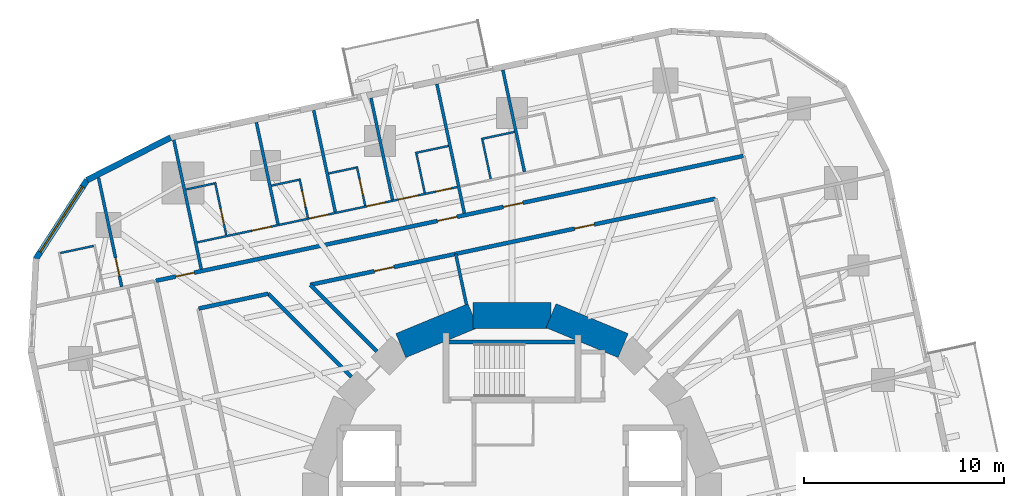
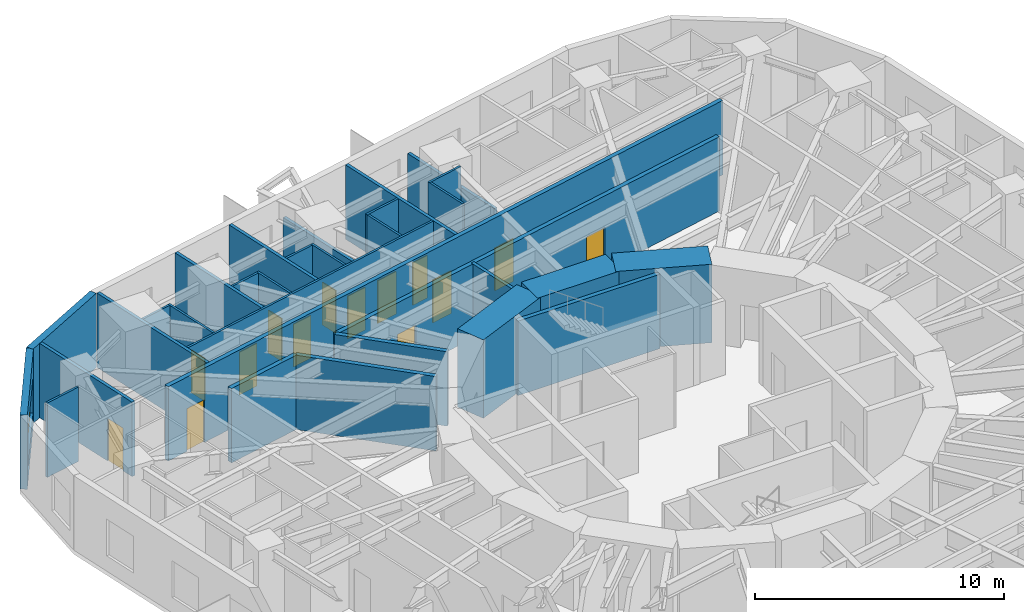
# One storey, part 10 of 14: 31 walls, 14 doors, 1 window, 15 openings.
"""IFC4 building model written with IfcOpenShell, lengths in metres."""

from ifc_helpers import new_model, si_unit, direction, frame, frame_2d, origin, place, context, subcontext, project, spatial, rectangle, extrude, material, layer, layer_set, type_object, element, fill, save


model = new_model("IFC4")

# Units and contexts
model_context = context("Model", 3, precision=1e-05, world=origin(), true_north=direction((0.0, 1.0)))
body_context = subcontext(model_context, "Body", "Model", "MODEL_VIEW")
ifc_project = project(units=[si_unit("LENGTHUNIT", "METRE"), si_unit("AREAUNIT", "SQUARE_METRE"), si_unit("VOLUMEUNIT", "CUBIC_METRE"), si_unit("PLANEANGLEUNIT", "RADIAN"), si_unit("MASSUNIT", "GRAM", prefix="KILO")], contexts=[model_context])

# Site, building, storey
site_placement = place(None, origin())
site = spatial("IfcSite", under=ifc_project, at=site_placement, CompositionType="ELEMENT")
building_placement = place(site_placement, origin())
building = spatial("IfcBuilding", under=site, at=building_placement, Name="Nakasero Lantern House", CompositionType="ELEMENT")
storey_placement = place(building_placement, frame((0.0, 0.0, 108.85009765625)))
storey = spatial("IfcBuildingStorey", under=building, at=storey_placement, Name="L26", CompositionType="ELEMENT", Elevation=108.85009765625)

# Wall, openings, doors
ifc_material_1 = material(Name="Blockwork", Category="masonry")
ifc_layer_1 = layer(ifc_material_1, 0.10009765625)
ifc_layer_set_1 = layer_set([ifc_layer_1], Name="Cluster hall wall 100")
wall_type_1 = type_object("IfcWallType", Name="Cluster hall wall 100", PredefinedType="PARTITIONING", material=ifc_layer_set_1)
wall_1_placement = place(storey_placement, frame((-2.734375, 16.236328125, 0.0), z_axis=(0.0, 0.0, 1.0), x_axis=(-0.978145215443, -0.207922912411, 0.0)))
wall_1 = element("IfcWall", 1, at=wall_1_placement, inside=storey, type_object=wall_type_1, Name="Cluster hall wall L26 HW1-1", PredefinedType="PARTITIONING", context=body_context, shape_type="SweptSolid", body=[
    extrude(rectangle(XDim=13.28955078125, YDim=0.10009765625, at=frame_2d((6.644775390625, 0.0))), origin(), (0.0, 0.0, 1.0), 3.64990234375),
])
opening_1_placement = place(wall_1_placement, frame((1.99365234375, 0.0, 0.0)))
opening_1 = element("IfcOpeningElement", 2, at=opening_1_placement, cuts=wall_1, Name="Opening D03", PredefinedType="OPENING", context=body_context, shape_type="SweptSolid", body=[
    extrude(rectangle(XDim=1.0, YDim=2.10009765625, at=frame_2d((0.5, 1.050048828125))), frame((0.0, 0.070068359375, 0.0), z_axis=(0.0, -1.0, 0.0), x_axis=(1.0, 0.0, 0.0)), (0.0, 0.0, 1.0), 0.14013671875),
])
opening_2_placement = place(wall_1_placement, frame((0.300048828125, 0.0, 0.0)))
opening_2 = element("IfcOpeningElement", 3, at=opening_2_placement, cuts=wall_1, Name="Opening D02", PredefinedType="OPENING", context=body_context, shape_type="SweptSolid", body=[
    extrude(rectangle(XDim=0.800048828125, YDim=2.10009765625, at=frame_2d((0.39990234375, 1.050048828125))), frame((0.0, 0.070068359375, 0.0), z_axis=(0.0, -1.0, 0.0), x_axis=(1.0, 0.0, 0.0)), (0.0, 0.0, 1.0), 0.14013671875),
])
opening_3_placement = place(wall_1_placement, frame((3.668701171875, 0.0, 0.0)))
opening_3 = element("IfcOpeningElement", 4, at=opening_3_placement, cuts=wall_1, Name="Opening D01", PredefinedType="OPENING", context=body_context, shape_type="SweptSolid", body=[
    extrude(rectangle(XDim=0.949951171875, YDim=2.10009765625, at=frame_2d((0.47509765625, 1.050048828125))), frame((0.0, 0.070068359375, 0.0), z_axis=(0.0, -1.0, 0.0), x_axis=(1.0, 0.0, 0.0)), (0.0, 0.0, 1.0), 0.14013671875),
])
opening_4_placement = place(wall_1_placement, frame((6.594970703125, 0.0, 0.0)))
opening_4 = element("IfcOpeningElement", 5, at=opening_4_placement, cuts=wall_1, Name="Opening D01", PredefinedType="OPENING", context=body_context, shape_type="SweptSolid", body=[
    extrude(rectangle(XDim=0.949951171875, YDim=2.10009765625, at=frame_2d((0.47509765625, 1.050048828125))), frame((0.0, 0.070068359375, 0.0), z_axis=(0.0, -1.0, 0.0), x_axis=(1.0, 0.0, 0.0)), (0.0, 0.0, 1.0), 0.14013671875),
])
opening_5_placement = place(wall_1_placement, frame((9.521484375, 0.0, 0.0)))
opening_5 = element("IfcOpeningElement", 6, at=opening_5_placement, cuts=wall_1, Name="Opening D01", PredefinedType="OPENING", context=body_context, shape_type="SweptSolid", body=[
    extrude(rectangle(XDim=0.949951171875, YDim=2.10009765625, at=frame_2d((0.47509765625, 1.050048828125))), frame((0.0, 0.070068359375, 0.0), z_axis=(0.0, -1.0, 0.0), x_axis=(1.0, 0.0, 0.0)), (0.0, 0.0, 1.0), 0.14013671875),
])
ifc_material_2 = material(Name="Timber C24", Category="wood")
door_type_1 = type_object("IfcDoorType", Name="Bedroom door FD30S 950", OperationType="SINGLE_SWING_LEFT", PredefinedType="DOOR", material=ifc_material_2)
door_1_placement = place(opening_3_placement, origin())
door_1 = element("IfcDoor", 7, at=door_1_placement, inside=storey, type_object=door_type_1, Name="Door L26 D1-05", OperationType="SINGLE_SWING_LEFT", OverallHeight=2.10009765625, OverallWidth=0.949951171875, PredefinedType="DOOR", context=body_context, shape_type="SweptSolid", body=[
    extrude(rectangle(XDim=0.949951171875, YDim=2.10009765625, at=frame_2d((0.47509765625, 1.050048828125))), frame((0.0, 0.02490234375, 0.0), z_axis=(0.0, -1.0, 0.0), x_axis=(1.0, 0.0, 0.0)), (0.0, 0.0, 1.0), 0.050048828125),
])
fill(opening_3, door_1)
door_2_placement = place(opening_4_placement, origin())
door_2 = element("IfcDoor", 8, at=door_2_placement, inside=storey, type_object=door_type_1, Name="Door L26 D1-06", OperationType="SINGLE_SWING_RIGHT", OverallHeight=2.10009765625, OverallWidth=0.949951171875, PredefinedType="DOOR", context=body_context, shape_type="SweptSolid", body=[
    extrude(rectangle(XDim=0.949951171875, YDim=2.10009765625, at=frame_2d((0.47509765625, 1.050048828125))), frame((0.0, 0.02490234375, 0.0), z_axis=(0.0, -1.0, 0.0), x_axis=(1.0, 0.0, 0.0)), (0.0, 0.0, 1.0), 0.050048828125),
])
fill(opening_4, door_2)
door_3_placement = place(opening_5_placement, origin())
door_3 = element("IfcDoor", 9, at=door_3_placement, inside=storey, type_object=door_type_1, Name="Door L26 D1-07", OperationType="SINGLE_SWING_RIGHT", OverallHeight=2.10009765625, OverallWidth=0.949951171875, PredefinedType="DOOR", context=body_context, shape_type="SweptSolid", body=[
    extrude(rectangle(XDim=0.949951171875, YDim=2.10009765625, at=frame_2d((0.47509765625, 1.050048828125))), frame((0.0, 0.02490234375, 0.0), z_axis=(0.0, -1.0, 0.0), x_axis=(1.0, 0.0, 0.0)), (0.0, 0.0, 1.0), 0.050048828125),
])
fill(opening_5, door_3)
ifc_material_3 = material(Name="Timber C24", Category="wood")
door_type_2 = type_object("IfcDoorType", Name="En-suite door 800", OperationType="SINGLE_SWING_RIGHT", PredefinedType="DOOR", material=ifc_material_3)
door_4_placement = place(opening_2_placement, origin())
door_4 = element("IfcDoor", 10, at=door_4_placement, inside=storey, type_object=door_type_2, Name="Door L26 DSH1-1", OperationType="SINGLE_SWING_LEFT", OverallHeight=2.10009765625, OverallWidth=0.800048828125, PredefinedType="DOOR", context=body_context, shape_type="SweptSolid", body=[
    extrude(rectangle(XDim=0.800048828125, YDim=2.10009765625, at=frame_2d((0.39990234375, 1.050048828125))), frame((0.0, 0.02490234375, 0.0), z_axis=(0.0, -1.0, 0.0), x_axis=(1.0, 0.0, 0.0)), (0.0, 0.0, 1.0), 0.050048828125),
])
fill(opening_2, door_4)
ifc_material_4 = material(Name="Timber C24", Category="wood")
door_type_3 = type_object("IfcDoorType", Name="Lounge door FD30S 1000", OperationType="SINGLE_SWING_LEFT", PredefinedType="DOOR", material=ifc_material_4)
door_5_placement = place(opening_1_placement, origin())
door_5 = element("IfcDoor", 11, at=door_5_placement, inside=storey, type_object=door_type_3, Name="Door L26 DH1-1", OperationType="SINGLE_SWING_LEFT", OverallHeight=2.10009765625, OverallWidth=1.0, PredefinedType="DOOR", context=body_context, shape_type="SweptSolid", body=[
    extrude(rectangle(XDim=1.0, YDim=2.10009765625, at=frame_2d((0.5, 1.050048828125))), frame((0.0, 0.02490234375, 0.0), z_axis=(0.0, -1.0, 0.0), x_axis=(1.0, 0.0, 0.0)), (0.0, 0.0, 1.0), 0.050048828125),
])
fill(opening_1, door_5)

# Walls
ifc_material_5 = material(Name="Concrete C50/60", Category="concrete")
ifc_layer_2 = layer(ifc_material_5, 1.300048828125)
ifc_layer_set_2 = layer_set([ifc_layer_2], Name="Core wall 1300")
wall_type_2 = type_object("IfcWallType", Name="Core wall 1300", PredefinedType="SHEAR", material=ifc_layer_set_2)
for number, where, z_axis, x_axis, name in (
    (12, (5.5556640625, 8.314697265625, 0.0), (0.0, 0.0, 1.0), (-0.923876507187, 0.382690736062, 0.0), "Core wall L26 facet 3"),
    (13, (1.950927734375, 9.807861328125, 0.0), (0.0, 0.0, 1.0), (-1.0, 0.0, 0.0), "Core wall L26 facet 4"),
    (14, (-1.950927734375, 9.807861328125, 0.0), (0.0, 0.0, 1.0), (-0.923876507187, -0.382690736062, 0.0), "Core wall L26 facet 5"),
):
    element("IfcWall", number, at=place(storey_placement, frame(where, z_axis=z_axis, x_axis=x_axis)), inside=storey, type_object=wall_type_2, Name=name, PredefinedType="SHEAR", context=body_context, shape_type="SweptSolid", body=[
        extrude(rectangle(XDim=3.90185546875, YDim=1.300048828125, at=frame_2d((1.950927734375, 0.0))), origin(), (0.0, 0.0, 1.0), 3.849853515625),
    ])

# Wall, openings, doors
ifc_material_6 = material(Name="Blockwork", Category="masonry")
ifc_layer_3 = layer(ifc_material_6, 0.199951171875)
ifc_layer_set_3 = layer_set([ifc_layer_3], Name="Corridor wall 200")
wall_type_3 = type_object("IfcWallType", Name="Corridor wall 200", PredefinedType="PARTITIONING", material=ifc_layer_set_3)
wall_2_placement = place(storey_placement, frame((11.553466796875, 17.790771484375, 0.0), z_axis=(0.0, 0.0, 1.0), x_axis=(-0.978147639417, -0.207911508826, 0.0)))
wall_2 = element("IfcWall", 15, at=wall_2_placement, inside=storey, type_object=wall_type_3, Name="Corridor wall L26 CW1", PredefinedType="PARTITIONING", context=body_context, shape_type="SweptSolid", body=[
    extrude(rectangle(XDim=29.999755859375, YDim=0.199951171875, at=frame_2d((15.0, 0.0))), origin(), (0.0, 0.0, 1.0), 3.64990234375),
])
opening_6_placement = place(wall_2_placement, frame((11.255126953125, 0.0, 0.0)))
opening_6 = element("IfcOpeningElement", 16, at=opening_6_placement, cuts=wall_2, Name="Opening D14", PredefinedType="OPENING", context=body_context, shape_type="SweptSolid", body=[
    extrude(rectangle(XDim=1.0, YDim=2.10009765625, at=frame_2d((0.5, 1.050048828125))), frame((0.0, 0.119873046875, 0.0), z_axis=(0.0, -1.0, 0.0), x_axis=(1.0, 0.0, 0.0)), (0.0, 0.0, 1.0), 0.239990234375),
])
opening_7_placement = place(wall_2_placement, frame((14.623779296875, 0.0, 0.0)))
opening_7 = element("IfcOpeningElement", 17, at=opening_7_placement, cuts=wall_2, Name="Opening D14", PredefinedType="OPENING", context=body_context, shape_type="SweptSolid", body=[
    extrude(rectangle(XDim=1.0, YDim=2.10009765625, at=frame_2d((0.5, 1.050048828125))), frame((0.0, 0.119873046875, 0.0), z_axis=(0.0, -1.0, 0.0), x_axis=(1.0, 0.0, 0.0)), (0.0, 0.0, 1.0), 0.239990234375),
])
opening_8_placement = place(wall_2_placement, frame((28.038330078125, 0.0, 0.0)))
opening_8 = element("IfcOpeningElement", 18, at=opening_8_placement, cuts=wall_2, Name="Opening D01", PredefinedType="OPENING", context=body_context, shape_type="SweptSolid", body=[
    extrude(rectangle(XDim=0.949951171875, YDim=2.10009765625, at=frame_2d((0.47509765625, 1.050048828125))), frame((0.0, 0.119873046875, 0.0), z_axis=(0.0, -1.0, 0.0), x_axis=(1.0, 0.0, 0.0)), (0.0, 0.0, 1.0), 0.239990234375),
])
door_6_placement = place(opening_8_placement, origin())
door_6 = element("IfcDoor", 19, at=door_6_placement, inside=storey, type_object=door_type_1, Name="Door L26 D1-08", OperationType="SINGLE_SWING_RIGHT", OverallHeight=2.10009765625, OverallWidth=0.949951171875, PredefinedType="DOOR", context=body_context, shape_type="SweptSolid", body=[
    extrude(rectangle(XDim=0.949951171875, YDim=2.10009765625, at=frame_2d((0.47509765625, 1.050048828125))), frame((0.0, 0.02490234375, 0.0), z_axis=(0.0, -1.0, 0.0), x_axis=(1.0, 0.0, 0.0)), (0.0, 0.0, 1.0), 0.050048828125),
])
fill(opening_8, door_6)
ifc_material_7 = material(Name="Timber C24", Category="wood")
door_type_4 = type_object("IfcDoorType", Name="Cluster entrance door FD30S 1000", OperationType="SINGLE_SWING_LEFT", PredefinedType="DOOR", material=ifc_material_7)
door_7_placement = place(opening_6_placement, origin())
door_7 = element("IfcDoor", 20, at=door_7_placement, inside=storey, type_object=door_type_4, Name="Door L26 DF1-0", OperationType="SINGLE_SWING_LEFT", OverallHeight=2.10009765625, OverallWidth=1.0, PredefinedType="DOOR", context=body_context, shape_type="SweptSolid", body=[
    extrude(rectangle(XDim=1.0, YDim=2.10009765625, at=frame_2d((0.5, 1.050048828125))), frame((0.0, 0.02490234375, 0.0), z_axis=(0.0, -1.0, 0.0), x_axis=(1.0, 0.0, 0.0)), (0.0, 0.0, 1.0), 0.050048828125),
])
fill(opening_6, door_7)
door_8_placement = place(opening_7_placement, origin())
door_8 = element("IfcDoor", 21, at=door_8_placement, inside=storey, type_object=door_type_4, Name="Door L26 DF1-1", OperationType="SINGLE_SWING_RIGHT", OverallHeight=2.10009765625, OverallWidth=1.0, PredefinedType="DOOR", context=body_context, shape_type="SweptSolid", body=[
    extrude(rectangle(XDim=1.0, YDim=2.10009765625, at=frame_2d((0.5, 1.050048828125))), frame((0.0, 0.02490234375, 0.0), z_axis=(0.0, -1.0, 0.0), x_axis=(1.0, 0.0, 0.0)), (0.0, 0.0, 1.0), 0.050048828125),
])
fill(opening_7, door_8)

wall_3_placement = place(storey_placement, frame((10.1669921875, 15.656005859375, 0.0), z_axis=(0.0, 0.0, 1.0), x_axis=(-0.978145959178, -0.207919413582, 0.0)))
wall_3 = element("IfcWall", 22, at=wall_3_placement, inside=storey, type_object=wall_type_3, Name="Corridor wall L26 IW1-0", PredefinedType="PARTITIONING", context=body_context, shape_type="SweptSolid", body=[
    extrude(rectangle(XDim=20.698974609375, YDim=0.199951171875, at=frame_2d((10.349609375, 0.0))), origin(), (0.0, 0.0, 1.0), 3.64990234375),
])
opening_9_placement = place(wall_3_placement, frame((6.197509765625, 0.0, 0.0)))
opening_9 = element("IfcOpeningElement", 23, at=opening_9_placement, cuts=wall_3, Name="Opening D07", PredefinedType="OPENING", context=body_context, shape_type="SweptSolid", body=[
    extrude(rectangle(XDim=1.0, YDim=2.10009765625, at=frame_2d((0.5, 1.050048828125))), frame((0.0, 0.119873046875, 0.0), z_axis=(0.0, -1.0, 0.0), x_axis=(1.0, 0.0, 0.0)), (0.0, 0.0, 1.0), 0.239990234375),
])
opening_10_placement = place(wall_3_placement, frame((16.422119140625, 0.0, 0.0)))
opening_10 = element("IfcOpeningElement", 24, at=opening_10_placement, cuts=wall_3, Name="Opening D07", PredefinedType="OPENING", context=body_context, shape_type="SweptSolid", body=[
    extrude(rectangle(XDim=1.0, YDim=2.10009765625, at=frame_2d((0.5, 1.050048828125))), frame((0.0, 0.119873046875, 0.0), z_axis=(0.0, -1.0, 0.0), x_axis=(1.0, 0.0, 0.0)), (0.0, 0.0, 1.0), 0.239990234375),
])
ifc_material_8 = material(Name="Timber C24", Category="wood")
door_type_5 = type_object("IfcDoorType", Name="Room door FD30S 1000", OperationType="SINGLE_SWING_LEFT", PredefinedType="DOOR", material=ifc_material_8)
door_9_placement = place(opening_9_placement, origin())
door_9 = element("IfcDoor", 25, at=door_9_placement, inside=storey, type_object=door_type_5, Name="Door L26 DI5", OperationType="SINGLE_SWING_LEFT", OverallHeight=2.10009765625, OverallWidth=1.0, PredefinedType="DOOR", context=body_context, shape_type="SweptSolid", body=[
    extrude(rectangle(XDim=1.0, YDim=2.10009765625, at=frame_2d((0.5, 1.050048828125))), frame((0.0, 0.02490234375, 0.0), z_axis=(0.0, -1.0, 0.0), x_axis=(1.0, 0.0, 0.0)), (0.0, 0.0, 1.0), 0.050048828125),
])
fill(opening_9, door_9)
door_10_placement = place(opening_10_placement, origin())
door_10 = element("IfcDoor", 26, at=door_10_placement, inside=storey, type_object=door_type_5, Name="Door L26 DI6", OperationType="SINGLE_SWING_RIGHT", OverallHeight=2.10009765625, OverallWidth=1.0, PredefinedType="DOOR", context=body_context, shape_type="SweptSolid", body=[
    extrude(rectangle(XDim=1.0, YDim=2.10009765625, at=frame_2d((0.5, 1.050048828125))), frame((0.0, 0.02490234375, 0.0), z_axis=(0.0, -1.0, 0.0), x_axis=(1.0, 0.0, 0.0)), (0.0, 0.0, 1.0), 0.050048828125),
])
fill(opening_10, door_10)

# Walls
wall_4_placement = place(storey_placement, frame((-12.178955078125, 10.90625, 0.0), z_axis=(0.0, 0.0, 1.0), x_axis=(-0.978136852319, -0.207962251708, 0.0)))
element("IfcWall", 27, at=wall_4_placement, inside=storey, type_object=wall_type_3, Name="Corridor wall L26 IW1-1", PredefinedType="PARTITIONING", context=body_context, shape_type="SweptSolid", body=[
    extrude(rectangle(XDim=3.5546875, YDim=0.199951171875, at=frame_2d((1.77734375, 0.0))), origin(), (0.0, 0.0, 1.0), 3.64990234375),
])
wall_5_placement = place(storey_placement, frame((-8.03125, 6.758544921875, 0.0), z_axis=(0.0, 0.0, 1.0), x_axis=(-0.707106781187, 0.707106781187, 0.0)))
element("IfcWall", 28, at=wall_5_placement, inside=storey, type_object=wall_type_3, Name="Corridor wall L26 PS06a", PredefinedType="PARTITIONING", context=body_context, shape_type="SweptSolid", body=[
    extrude(rectangle(XDim=5.86572265625, YDim=0.199951171875, at=frame_2d((2.932861328125, 0.0))), origin(), (0.0, 0.0, 1.0), 3.64990234375),
])
wall_6_placement = place(storey_placement, frame((-6.758544921875, 8.03125, 0.0), z_axis=(0.0, 0.0, 1.0), x_axis=(-0.707106781187, 0.707106781187, 0.0)))
element("IfcWall", 29, at=wall_6_placement, inside=storey, type_object=wall_type_3, Name="Corridor wall L26 PS06b", PredefinedType="PARTITIONING", context=body_context, shape_type="SweptSolid", body=[
    extrude(rectangle(XDim=4.69677734375, YDim=0.199951171875, at=frame_2d((2.348388671875, 0.0))), origin(), (0.0, 0.0, 1.0), 3.64990234375),
])
ifc_material_9 = material(Name="Blockwork", Category="masonry")
ifc_layer_4 = layer(ifc_material_9, 0.10009765625)
ifc_layer_set_4 = layer_set([ifc_layer_4], Name="En-suite wall 100")
wall_type_4 = type_object("IfcWallType", Name="En-suite wall 100", PredefinedType="PARTITIONING", material=ifc_layer_set_4)
wall_7_placement = place(storey_placement, frame((-1.0634765625, 16.642578125, 0.0), z_axis=(0.0, 0.0, 1.0), x_axis=(-0.207972763311, 0.978134617382, 0.0)))
element("IfcWall", 30, at=wall_7_placement, inside=storey, type_object=wall_type_4, Name="En-suite wall L26 SS1-0", PredefinedType="PARTITIONING", context=body_context, shape_type="SweptSolid", body=[
    extrude(rectangle(XDim=2.10009765625, YDim=0.10009765625, at=frame_2d((1.050048828125, 0.0))), origin(), (0.0, 0.0, 1.0), 3.64990234375),
])
wall_8_placement = place(storey_placement, frame((0.124267578125, 18.99072265625, 0.0), z_axis=(0.0, 0.0, 1.0), x_axis=(-0.978168704767, -0.207812379357, 0.0)))
element("IfcWall", 31, at=wall_8_placement, inside=storey, type_object=wall_type_4, Name="En-suite wall L26 SE1-0", PredefinedType="PARTITIONING", context=body_context, shape_type="SweptSolid", body=[
    extrude(rectangle(XDim=1.699951171875, YDim=0.10009765625, at=frame_2d((0.85009765625, 0.0))), origin(), (0.0, 0.0, 1.0), 3.64990234375),
])
wall_9_placement = place(storey_placement, frame((-4.358642578125, 15.942138671875, 0.0), z_axis=(0.0, 0.0, 1.0), x_axis=(-0.207861536591, 0.97815826, 0.0)))
element("IfcWall", 32, at=wall_9_placement, inside=storey, type_object=wall_type_4, Name="En-suite wall L26 SS1-1", PredefinedType="PARTITIONING", context=body_context, shape_type="SweptSolid", body=[
    extrude(rectangle(XDim=2.10009765625, YDim=0.10009765625, at=frame_2d((1.050048828125, 0.0))), origin(), (0.0, 0.0, 1.0), 3.64990234375),
])
wall_10_placement = place(storey_placement, frame((-3.1708984375, 18.29052734375, 0.0), z_axis=(0.0, 0.0, 1.0), x_axis=(-0.97813950236, -0.207949787024, 0.0)))
element("IfcWall", 33, at=wall_10_placement, inside=storey, type_object=wall_type_4, Name="En-suite wall L26 SE1-1", PredefinedType="PARTITIONING", context=body_context, shape_type="SweptSolid", body=[
    extrude(rectangle(XDim=1.699951171875, YDim=0.10009765625, at=frame_2d((0.85009765625, 0.0))), origin(), (0.0, 0.0, 1.0), 3.64990234375),
])

# Wall, opening, door
wall_11_placement = place(storey_placement, frame((-7.337158203125, 15.30908203125, 0.0), z_axis=(0.0, 0.0, 1.0), x_axis=(-0.207886494942, 0.978152955943, 0.0)))
wall_11 = element("IfcWall", 34, at=wall_11_placement, inside=storey, type_object=wall_type_4, Name="En-suite wall L26 ES1-05", PredefinedType="PARTITIONING", context=body_context, shape_type="SweptSolid", body=[
    extrude(rectangle(XDim=2.0, YDim=0.10009765625, at=frame_2d((1.0, 0.0))), origin(), (0.0, 0.0, 1.0), 3.64990234375),
])
opening_11_placement = place(wall_11_placement, frame((0.550048828125, 0.0, 0.0)))
opening_11 = element("IfcOpeningElement", 35, at=opening_11_placement, cuts=wall_11, Name="Opening D02", PredefinedType="OPENING", context=body_context, shape_type="SweptSolid", body=[
    extrude(rectangle(XDim=0.800048828125, YDim=2.10009765625, at=frame_2d((0.39990234375, 1.050048828125))), frame((0.0, 0.070068359375, 0.0), z_axis=(0.0, -1.0, 0.0), x_axis=(1.0, 0.0, 0.0)), (0.0, 0.0, 1.0), 0.14013671875),
])
door_11_placement = place(opening_11_placement, origin())
door_11 = element("IfcDoor", 36, at=door_11_placement, inside=storey, type_object=door_type_2, Name="Door L26 DE1-05", OperationType="SINGLE_SWING_LEFT", OverallHeight=2.10009765625, OverallWidth=0.800048828125, PredefinedType="DOOR", context=body_context, shape_type="SweptSolid", body=[
    extrude(rectangle(XDim=0.800048828125, YDim=2.10009765625, at=frame_2d((0.39990234375, 1.050048828125))), frame((0.0, 0.02490234375, 0.0), z_axis=(0.0, -1.0, 0.0), x_axis=(1.0, 0.0, 0.0)), (0.0, 0.0, 1.0), 0.050048828125),
])
fill(opening_11, door_11)

# Wall
wall_12_placement = place(storey_placement, frame((-7.79150390625, 17.2060546875, 0.0), z_axis=(0.0, 0.0, 1.0), x_axis=(-0.978155748334, -0.207873355681, 0.0)))
element("IfcWall", 37, at=wall_12_placement, inside=storey, type_object=wall_type_4, Name="En-suite wall L26 EE1-05", PredefinedType="PARTITIONING", context=body_context, shape_type="SweptSolid", body=[
    extrude(rectangle(XDim=1.39990234375, YDim=0.10009765625, at=frame_2d((0.699951171875, 0.0))), origin(), (0.0, 0.0, 1.0), 3.64990234375),
])

# Wall, opening, door
wall_13_placement = place(storey_placement, frame((-10.19970703125, 14.70068359375, 0.0), z_axis=(0.0, 0.0, 1.0), x_axis=(-0.207886494942, 0.978152955943, 0.0)))
wall_13 = element("IfcWall", 38, at=wall_13_placement, inside=storey, type_object=wall_type_4, Name="En-suite wall L26 ES1-06", PredefinedType="PARTITIONING", context=body_context, shape_type="SweptSolid", body=[
    extrude(rectangle(XDim=2.0, YDim=0.10009765625, at=frame_2d((1.0, 0.0))), origin(), (0.0, 0.0, 1.0), 3.64990234375),
])
opening_12_placement = place(wall_13_placement, frame((0.550048828125, 0.0, 0.0)))
opening_12 = element("IfcOpeningElement", 39, at=opening_12_placement, cuts=wall_13, Name="Opening D02", PredefinedType="OPENING", context=body_context, shape_type="SweptSolid", body=[
    extrude(rectangle(XDim=0.800048828125, YDim=2.10009765625, at=frame_2d((0.39990234375, 1.050048828125))), frame((0.0, 0.070068359375, 0.0), z_axis=(0.0, -1.0, 0.0), x_axis=(1.0, 0.0, 0.0)), (0.0, 0.0, 1.0), 0.14013671875),
])
door_12_placement = place(opening_12_placement, origin())
door_12 = element("IfcDoor", 40, at=door_12_placement, inside=storey, type_object=door_type_2, Name="Door L26 DE1-06", OperationType="SINGLE_SWING_LEFT", OverallHeight=2.10009765625, OverallWidth=0.800048828125, PredefinedType="DOOR", context=body_context, shape_type="SweptSolid", body=[
    extrude(rectangle(XDim=0.800048828125, YDim=2.10009765625, at=frame_2d((0.39990234375, 1.050048828125))), frame((0.0, 0.02490234375, 0.0), z_axis=(0.0, -1.0, 0.0), x_axis=(1.0, 0.0, 0.0)), (0.0, 0.0, 1.0), 0.050048828125),
])
fill(opening_12, door_12)

# Wall
wall_14_placement = place(storey_placement, frame((-10.654052734375, 16.59765625, 0.0), z_axis=(0.0, 0.0, 1.0), x_axis=(-0.978155748334, -0.207873355681, 0.0)))
element("IfcWall", 41, at=wall_14_placement, inside=storey, type_object=wall_type_4, Name="En-suite wall L26 EE1-06", PredefinedType="PARTITIONING", context=body_context, shape_type="SweptSolid", body=[
    extrude(rectangle(XDim=1.39990234375, YDim=0.10009765625, at=frame_2d((0.699951171875, 0.0))), origin(), (0.0, 0.0, 1.0), 3.64990234375),
])

# Wall, opening, door
wall_15_placement = place(storey_placement, frame((-14.276611328125, 13.833984375, 0.0), z_axis=(0.0, 0.0, 1.0), x_axis=(-0.207960405185, 0.978137244908, 0.0)))
wall_15 = element("IfcWall", 42, at=wall_15_placement, inside=storey, type_object=wall_type_4, Name="En-suite wall L26 ES1-07", PredefinedType="PARTITIONING", context=body_context, shape_type="SweptSolid", body=[
    extrude(rectangle(XDim=2.7001953125, YDim=0.10009765625, at=frame_2d((1.35009765625, 0.0))), origin(), (0.0, 0.0, 1.0), 3.64990234375),
])
opening_13_placement = place(wall_15_placement, frame((0.550048828125, 0.0, 0.0)))
opening_13 = element("IfcOpeningElement", 43, at=opening_13_placement, cuts=wall_15, Name="Opening D02", PredefinedType="OPENING", context=body_context, shape_type="SweptSolid", body=[
    extrude(rectangle(XDim=0.800048828125, YDim=2.10009765625, at=frame_2d((0.39990234375, 1.050048828125))), frame((0.0, 0.070068359375, 0.0), z_axis=(0.0, -1.0, 0.0), x_axis=(1.0, 0.0, 0.0)), (0.0, 0.0, 1.0), 0.14013671875),
])
door_13_placement = place(opening_13_placement, origin())
door_13 = element("IfcDoor", 44, at=door_13_placement, inside=storey, type_object=door_type_2, Name="Door L26 DE1-07", OperationType="SINGLE_SWING_LEFT", OverallHeight=2.10009765625, OverallWidth=0.800048828125, PredefinedType="DOOR", context=body_context, shape_type="SweptSolid", body=[
    extrude(rectangle(XDim=0.800048828125, YDim=2.10009765625, at=frame_2d((0.39990234375, 1.050048828125))), frame((0.0, 0.02490234375, 0.0), z_axis=(0.0, -1.0, 0.0), x_axis=(1.0, 0.0, 0.0)), (0.0, 0.0, 1.0), 0.050048828125),
])
fill(opening_13, door_13)

# Walls
wall_16_placement = place(storey_placement, frame((-14.87646484375, 16.415771484375, 0.0), z_axis=(0.0, 0.0, 1.0), x_axis=(-0.978146012851, -0.207919161079, 0.0)))
element("IfcWall", 45, at=wall_16_placement, inside=storey, type_object=wall_type_4, Name="En-suite wall L26 EE1-07", PredefinedType="PARTITIONING", context=body_context, shape_type="SweptSolid", body=[
    extrude(rectangle(XDim=1.4501953125, YDim=0.10009765625, at=frame_2d((0.72509765625, 0.0))), origin(), (0.0, 0.0, 1.0), 3.64990234375),
])
wall_17_placement = place(storey_placement, frame((-20.906494140625, 13.293701171875, 0.0), z_axis=(0.0, 0.0, 1.0), x_axis=(-0.978168704767, -0.207812379357, 0.0)))
element("IfcWall", 46, at=wall_17_placement, inside=storey, type_object=wall_type_4, Name="En-suite wall L26 EE1-08", PredefinedType="PARTITIONING", context=body_context, shape_type="SweptSolid", body=[
    extrude(rectangle(XDim=1.699951171875, YDim=0.10009765625, at=frame_2d((0.85009765625, 0.0))), origin(), (0.0, 0.0, 1.0), 3.64990234375),
])
ifc_material_10 = material(Name="Aluminium rainscreen on blockwork", Category="masonry")
ifc_layer_5 = layer(ifc_material_10, 0.300048828125)
ifc_layer_set_5 = layer_set([ifc_layer_5], Name="Facade wall 300")
wall_type_5 = type_object("IfcWallType", Name="Facade wall 300", PredefinedType="SOLIDWALL", material=ifc_layer_set_5)
wall_18_placement = place(storey_placement, frame((-17.063232421875, 18.711181640625, 0.0), z_axis=(0.0, 0.0, 1.0), x_axis=(-0.89101404178, -0.453975745332, 0.0)))
element("IfcWall", 47, at=wall_18_placement, inside=storey, type_object=wall_type_5, Name="Facade wall L26 FW1C1", PredefinedType="SOLIDWALL", context=body_context, shape_type="SweptSolid", body=[
    extrude(rectangle(XDim=4.6845703125, YDim=0.300048828125, at=frame_2d((2.34228515625, 0.0))), origin(), (0.0, 0.0, 1.0), 3.64990234375),
])

# Wall, opening, window
wall_19_placement = place(storey_placement, frame((-21.2373046875, 16.58447265625, 0.0), z_axis=(0.0, 0.0, 1.0), x_axis=(-0.544605442853, -0.838692381994, 0.0)))
wall_19 = element("IfcWall", 48, at=wall_19_placement, inside=storey, type_object=wall_type_5, Name="Facade wall L26 FW1C2", PredefinedType="SOLIDWALL", context=body_context, shape_type="SweptSolid", body=[
    extrude(rectangle(XDim=4.6845703125, YDim=0.300048828125, at=frame_2d((2.34228515625, 0.0))), origin(), (0.0, 0.0, 1.0), 3.64990234375),
])
opening_14_placement = place(wall_19_placement, frame((0.39990234375, 0.0, 0.75)))
opening_14 = element("IfcOpeningElement", 49, at=opening_14_placement, cuts=wall_19, Name="Opening W238", PredefinedType="OPENING", context=body_context, shape_type="SweptSolid", body=[
    extrude(rectangle(XDim=3.885009765625, YDim=1.800048828125, at=frame_2d((1.9423828125, 0.89990234375))), frame((0.0, 0.169921875, 0.0), z_axis=(0.0, -1.0, 0.0), x_axis=(1.0, 0.0, 0.0)), (0.0, 0.0, 1.0), 0.340087890625),
])
ifc_material_11 = material(Name="Aluminium 6063-T6 and glass", Category="aluminium")
window_type = type_object("IfcWindowType", Name="Corner window 3885x1800", PartitioningType="SINGLE_PANEL", PredefinedType="WINDOW", material=ifc_material_11)
window_placement = place(opening_14_placement, origin())
window = element("IfcWindow", 50, at=window_placement, inside=storey, type_object=window_type, Name="Window L26 WC1", OverallHeight=1.800048828125, OverallWidth=3.885009765625, PartitioningType="SINGLE_PANEL", PredefinedType="WINDOW", context=body_context, shape_type="SweptSolid", body=[
    extrude(rectangle(XDim=3.885009765625, YDim=1.800048828125, at=frame_2d((1.9423828125, 0.89990234375))), frame((0.0, 0.030029296875, 0.0), z_axis=(0.0, -1.0, 0.0), x_axis=(1.0, 0.0, 0.0)), (0.0, 0.0, 1.0), 0.06005859375),
])
fill(opening_14, window)

# Walls
ifc_material_12 = material(Name="Blockwork", Category="masonry")
ifc_layer_6 = layer(ifc_material_12, 0.199951171875)
ifc_layer_set_6 = layer_set([ifc_layer_6], Name="Fire lobby wall 200")
wall_type_6 = type_object("IfcWallType", Name="Fire lobby wall 200", PredefinedType="PARTITIONING", material=ifc_layer_set_6)
wall_20_placement = place(storey_placement, frame((-3.300048828125, 8.5, 0.0), z_axis=(0.0, 0.0, 1.0), x_axis=(1.0, 0.0, 0.0)))
element("IfcWall", 51, at=wall_20_placement, inside=storey, type_object=wall_type_6, Name="Fire lobby wall L26 W-STN", PredefinedType="PARTITIONING", context=body_context, shape_type="SweptSolid", body=[
    extrude(rectangle(XDim=6.60009765625, YDim=0.199951171875, at=frame_2d((3.300048828125, 0.0))), origin(), (0.0, 0.0, 1.0), 3.64990234375),
])
ifc_material_13 = material(Name="Blockwork", Category="masonry")
ifc_layer_7 = layer(ifc_material_13, 0.14990234375)
ifc_layer_set_7 = layer_set([ifc_layer_7], Name="Party wall 150")
wall_type_7 = type_object("IfcWallType", Name="Party wall 150", PredefinedType="PARTITIONING", material=ifc_layer_set_7)
wall_21_placement = place(storey_placement, frame((0.623779296875, 17.001220703125, 0.0), z_axis=(0.0, 0.0, 1.0), x_axis=(-0.207938489641, 0.978141904084, 0.0)))
element("IfcWall", 52, at=wall_21_placement, inside=storey, type_object=wall_type_7, Name="Party wall L26 PW1-03", PredefinedType="PARTITIONING", context=body_context, shape_type="SweptSolid", body=[
    extrude(rectangle(XDim=5.2001953125, YDim=0.14990234375, at=frame_2d((2.60009765625, 0.0))), origin(), (0.0, 0.0, 1.0), 2.623779296875),
])
wall_22_placement = place(storey_placement, frame((-2.38037109375, 14.931396484375, 0.0), z_axis=(0.0, 0.0, 1.0), x_axis=(-0.207889281984, 0.97815236361, 0.0)))
element("IfcWall", 53, at=wall_22_placement, inside=storey, type_object=wall_type_7, Name="Party wall L26 PW1-04", PredefinedType="PARTITIONING", context=body_context, shape_type="SweptSolid", body=[
    extrude(rectangle(XDim=6.60009765625, YDim=0.14990234375, at=frame_2d((3.300048828125, 0.0))), origin(), (0.0, 0.0, 1.0), 3.64990234375),
])
wall_23_placement = place(storey_placement, frame((-5.966552734375, 15.600341796875, 0.0), z_axis=(0.0, 0.0, 1.0), x_axis=(-0.207893569688, 0.978151452323, 0.0)))
element("IfcWall", 54, at=wall_23_placement, inside=storey, type_object=wall_type_7, Name="Party wall L26 PW1-05", PredefinedType="PARTITIONING", context=body_context, shape_type="SweptSolid", body=[
    extrude(rectangle(XDim=5.199951171875, YDim=0.14990234375, at=frame_2d((2.60009765625, 0.0))), origin(), (0.0, 0.0, 1.0), 2.641845703125),
])
for number, where, z_axis, x_axis, name in (
    (55, (-8.828857421875, 14.991943359375, 0.0), (0.0, 0.0, 1.0), (-0.207893569688, 0.978151452323, 0.0), "Party wall L26 PW1-06"),
    (56, (-11.69140625, 14.383544921875, 0.0), (0.0, 0.0, 1.0), (-0.207893569688, 0.978151452323, 0.0), "Party wall L26 PW1-07"),
):
    element("IfcWall", number, at=place(storey_placement, frame(where, z_axis=z_axis, x_axis=x_axis)), inside=storey, type_object=wall_type_7, Name=name, PredefinedType="PARTITIONING", context=body_context, shape_type="SweptSolid", body=[
        extrude(rectangle(XDim=5.199951171875, YDim=0.14990234375, at=frame_2d((2.60009765625, 0.0))), origin(), (0.0, 0.0, 1.0), 3.64990234375),
    ])
wall_24_placement = place(storey_placement, frame((-15.526123046875, 12.13720703125, 0.0), z_axis=(0.0, 0.0, 1.0), x_axis=(-0.207924673876, 0.978144841009, 0.0)))
element("IfcWall", 57, at=wall_24_placement, inside=storey, type_object=wall_type_7, Name="Party wall L26 PW1-08", PredefinedType="PARTITIONING", context=body_context, shape_type="SweptSolid", body=[
    extrude(rectangle(XDim=6.60009765625, YDim=0.14990234375, at=frame_2d((3.300048828125, 0.0))), origin(), (0.0, 0.0, 1.0), 3.64990234375),
])

# Wall, opening, door
wall_25_placement = place(storey_placement, frame((-19.502197265625, 11.256103515625, 0.0), z_axis=(0.0, 0.0, 1.0), x_axis=(-0.207936339891, 0.978142361087, 0.0)))
wall_25 = element("IfcWall", 58, at=wall_25_placement, inside=storey, type_object=wall_type_7, Name="Party wall L26 PC1", PredefinedType="PARTITIONING", context=body_context, shape_type="SweptSolid", body=[
    extrude(rectangle(XDim=5.570068359375, YDim=0.14990234375, at=frame_2d((2.78515625, 0.0))), origin(), (0.0, 0.0, 1.0), 3.64990234375),
])
opening_15_placement = place(wall_25_placement, frame((0.534912109375, 0.0, 0.0)))
opening_15 = element("IfcOpeningElement", 59, at=opening_15_placement, cuts=wall_25, Name="Opening D01", PredefinedType="OPENING", context=body_context, shape_type="SweptSolid", body=[
    extrude(rectangle(XDim=0.949951171875, YDim=2.10009765625, at=frame_2d((0.47509765625, 1.050048828125))), frame((0.0, 0.094970703125, 0.0), z_axis=(0.0, -1.0, 0.0), x_axis=(1.0, 0.0, 0.0)), (0.0, 0.0, 1.0), 0.18994140625),
])
door_14_placement = place(opening_15_placement, origin())
door_14 = element("IfcDoor", 60, at=door_14_placement, inside=storey, type_object=door_type_1, Name="Door L26 DC1", OperationType="SINGLE_SWING_LEFT", OverallHeight=2.10009765625, OverallWidth=0.949951171875, PredefinedType="DOOR", context=body_context, shape_type="SweptSolid", body=[
    extrude(rectangle(XDim=0.949951171875, YDim=2.10009765625, at=frame_2d((0.47509765625, 1.050048828125))), frame((0.0, 0.02490234375, 0.0), z_axis=(0.0, -1.0, 0.0), x_axis=(1.0, 0.0, 0.0)), (0.0, 0.0, 1.0), 0.050048828125),
])
fill(opening_15, door_14)

# Wall
wall_26_placement = place(storey_placement, frame((-2.81298828125, 12.89697265625, 0.0), z_axis=(0.0, 0.0, 1.0), x_axis=(0.20794373203, -0.978140789615, 0.0)))
element("IfcWall", 61, at=wall_26_placement, inside=storey, type_object=wall_type_7, Name="Party wall L26 IM1", PredefinedType="PARTITIONING", context=body_context, shape_type="SweptSolid", body=[
    extrude(rectangle(XDim=2.5771484375, YDim=0.14990234375, at=frame_2d((1.28857421875, 0.0))), origin(), (0.0, 0.0, 1.0), 3.64990234375),
])

save(model, "model.ifc")
